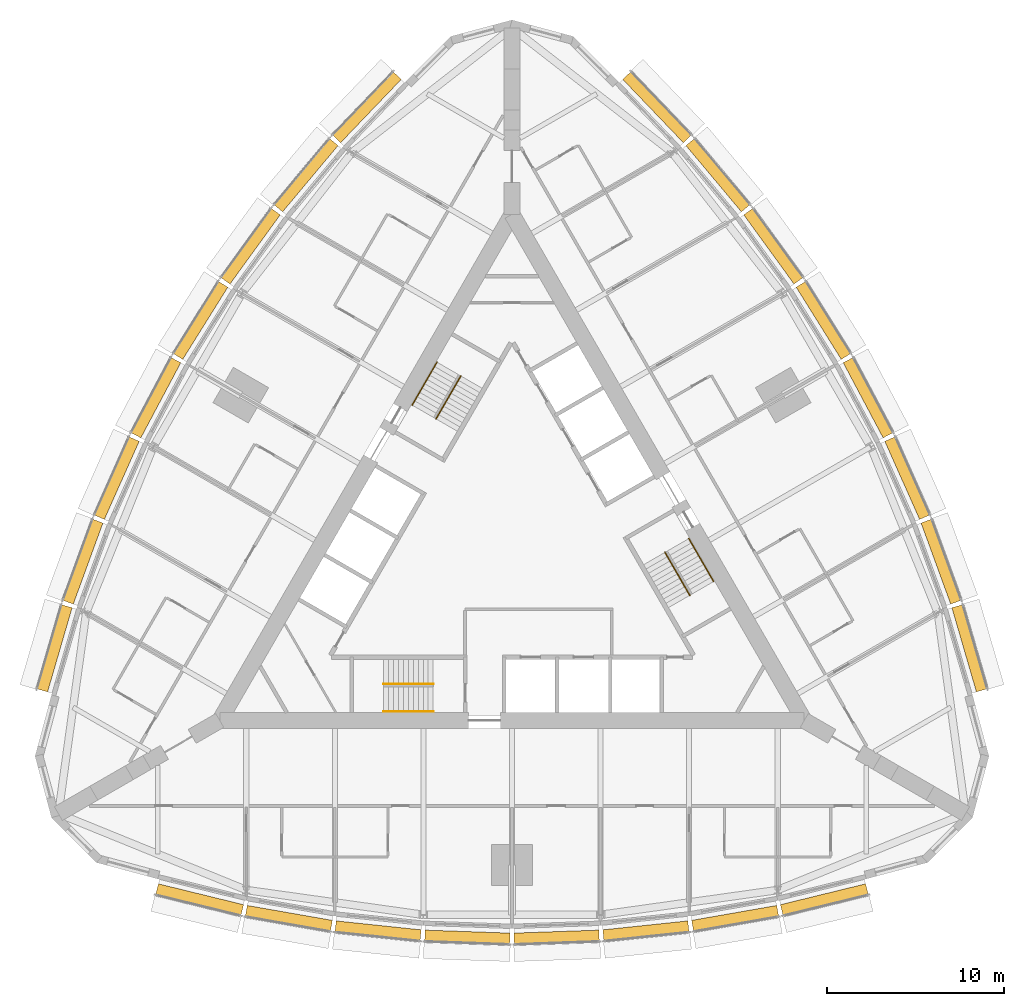
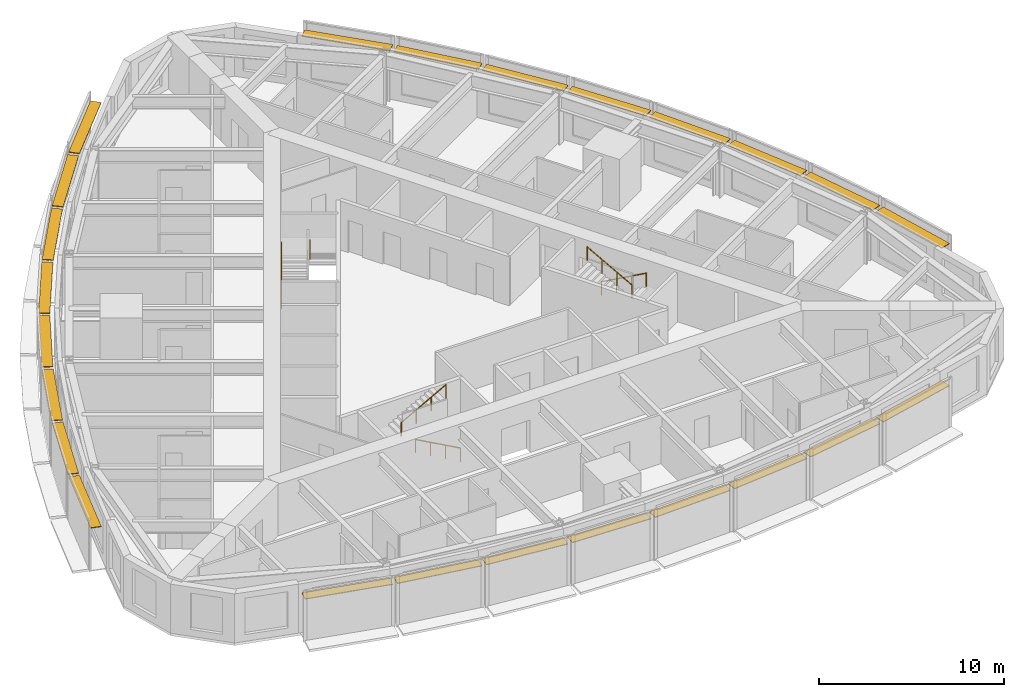
# One storey, part 14 of 14: 24 shading devices, 6 railings.
"""IFC4 building model written with IfcOpenShell, lengths in metres."""

from ifc_helpers import new_model, si_unit, direction, frame, origin, origin_2d, place, context, subcontext, project, spatial, rectangle, circle, extrude, material, type_object, element, save


model = new_model("IFC4")

# Units and contexts
model_context = context("Model", 3, precision=1e-05, world=origin(), true_north=direction((0.0, 1.0)))
body_context = subcontext(model_context, "Body", "Model", "MODEL_VIEW")
ifc_project = project(units=[si_unit("LENGTHUNIT", "METRE"), si_unit("AREAUNIT", "SQUARE_METRE"), si_unit("VOLUMEUNIT", "CUBIC_METRE"), si_unit("PLANEANGLEUNIT", "RADIAN"), si_unit("MASSUNIT", "GRAM", prefix="KILO")], contexts=[model_context])

# Site, building, storey
site_placement = place(None, origin())
site = spatial("IfcSite", under=ifc_project, at=site_placement, CompositionType="ELEMENT")
building_placement = place(site_placement, origin())
building = spatial("IfcBuilding", under=site, at=building_placement, Name="Trikona Tower", CompositionType="ELEMENT")
storey_placement = place(building_placement, frame((0.0, 0.0, 182.699951171875)))
storey = spatial("IfcBuildingStorey", under=building, at=storey_placement, Name="L49", CompositionType="ELEMENT", Elevation=182.699951171875)

# Shading devices
ifc_material_1 = material(Name="Aluminium louvre blade, pale anodised", Category="aluminium")
shading_device_type = type_object("IfcShadingDeviceType", Name="Cavity louvre 600", PredefinedType="USERDEFINED", material=ifc_material_1)
shading_device_1_placement = place(storey_placement, frame((-17.63330078125, -19.631591796875, 2.77490234375), z_axis=(0.0, 0.0, 1.0), x_axis=(0.971274411564, -0.237962218516, 0.0)))
element("IfcShadingDevice", 1, at=shading_device_1_placement, inside=storey, type_object=shading_device_type, Name="Cavity louvre L49-00", ObjectType="LOUVRE", PredefinedType="USERDEFINED", context=body_context, shape_type="SweptSolid", body=[
    extrude(rectangle(XDim=4.947998046875, YDim=0.60009765625, at=origin_2d()), origin(), (0.0, 0.0, 1.0), 0.050048828125),
])
shading_device_2_placement = place(storey_placement, frame((-12.596435546875, -20.689208984375, 2.77490234375), z_axis=(0.0, 0.0, 1.0), x_axis=(0.985030604067, -0.172379549401, 0.0)))
element("IfcShadingDevice", 2, at=shading_device_2_placement, inside=storey, type_object=shading_device_type, Name="Cavity louvre L49-01", ObjectType="LOUVRE", PredefinedType="USERDEFINED", context=body_context, shape_type="SweptSolid", body=[
    extrude(rectangle(XDim=4.8759765625, YDim=0.60009765625, at=origin_2d()), origin(), (0.0, 0.0, 1.0), 0.050048828125),
])
shading_device_3_placement = place(storey_placement, frame((-7.55859375, -21.39453125, 2.77490234375), z_axis=(0.0, 0.0, 1.0), x_axis=(0.994532653854, -0.104426052392, 0.0)))
element("IfcShadingDevice", 3, at=shading_device_3_placement, inside=storey, type_object=shading_device_type, Name="Cavity louvre L49-02", ObjectType="LOUVRE", PredefinedType="USERDEFINED", context=body_context, shape_type="SweptSolid", body=[
    extrude(rectangle(XDim=4.827392578125, YDim=0.60009765625, at=origin_2d()), origin(), (0.0, 0.0, 1.0), 0.050048828125),
])
for number, where, z_axis, x_axis, name in (
    (4, (-2.51953125, -21.747314453125, 2.77490234375), (0.0, 0.0, 1.0), (0.999388082937, -0.034977988567, 0.0), "Cavity louvre L49-03"),
    (5, (2.51953125, -21.747314453125, 2.77490234375), (0.0, 0.0, 1.0), (0.999388082937, 0.034977988567, 0.0), "Cavity louvre L49-04"),
):
    element("IfcShadingDevice", number, at=place(storey_placement, frame(where, z_axis=z_axis, x_axis=x_axis)), inside=storey, type_object=shading_device_type, Name=name, ObjectType="LOUVRE", PredefinedType="USERDEFINED", context=body_context, shape_type="SweptSolid", body=[
        extrude(rectangle(XDim=4.802978515625, YDim=0.60009765625, at=origin_2d()), origin(), (0.0, 0.0, 1.0), 0.050048828125),
    ])
shading_device_4_placement = place(storey_placement, frame((7.55859375, -21.39453125, 2.77490234375), z_axis=(0.0, 0.0, 1.0), x_axis=(0.994532653854, 0.104426052392, 0.0)))
element("IfcShadingDevice", 6, at=shading_device_4_placement, inside=storey, type_object=shading_device_type, Name="Cavity louvre L49-05", ObjectType="LOUVRE", PredefinedType="USERDEFINED", context=body_context, shape_type="SweptSolid", body=[
    extrude(rectangle(XDim=4.827392578125, YDim=0.60009765625, at=origin_2d()), origin(), (0.0, 0.0, 1.0), 0.050048828125),
])
shading_device_5_placement = place(storey_placement, frame((12.596435546875, -20.689208984375, 2.77490234375), z_axis=(0.0, 0.0, 1.0), x_axis=(0.985030604067, 0.172379549401, 0.0)))
element("IfcShadingDevice", 7, at=shading_device_5_placement, inside=storey, type_object=shading_device_type, Name="Cavity louvre L49-06", ObjectType="LOUVRE", PredefinedType="USERDEFINED", context=body_context, shape_type="SweptSolid", body=[
    extrude(rectangle(XDim=4.8759765625, YDim=0.60009765625, at=origin_2d()), origin(), (0.0, 0.0, 1.0), 0.050048828125),
])
shading_device_6_placement = place(storey_placement, frame((17.63330078125, -19.631591796875, 2.77490234375), z_axis=(0.0, 0.0, 1.0), x_axis=(0.971274411564, 0.237962218516, 0.0)))
element("IfcShadingDevice", 8, at=shading_device_6_placement, inside=storey, type_object=shading_device_type, Name="Cavity louvre L49-07", ObjectType="LOUVRE", PredefinedType="USERDEFINED", context=body_context, shape_type="SweptSolid", body=[
    extrude(rectangle(XDim=4.947998046875, YDim=0.60009765625, at=origin_2d()), origin(), (0.0, 0.0, 1.0), 0.050048828125),
])
shading_device_7_placement = place(storey_placement, frame((25.818115234375, -5.455078125, 2.77490234375), z_axis=(0.0, 0.0, 1.0), x_axis=(-0.279554203664, 0.960129911634, 0.0)))
element("IfcShadingDevice", 9, at=shading_device_7_placement, inside=storey, type_object=shading_device_type, Name="Cavity louvre L49-12", ObjectType="LOUVRE", PredefinedType="USERDEFINED", context=body_context, shape_type="SweptSolid", body=[
    extrude(rectangle(XDim=4.94775390625, YDim=0.60009765625, at=origin_2d()), origin(), (0.0, 0.0, 1.0), 0.050048828125),
])
shading_device_8_placement = place(storey_placement, frame((24.2158203125, -0.564208984375, 2.77490234375), z_axis=(0.0, 0.0, 1.0), x_axis=(-0.343220397324, 0.939254895575, 0.0)))
element("IfcShadingDevice", 10, at=shading_device_8_placement, inside=storey, type_object=shading_device_type, Name="Cavity louvre L49-13", ObjectType="LOUVRE", PredefinedType="USERDEFINED", context=body_context, shape_type="SweptSolid", body=[
    extrude(rectangle(XDim=4.8759765625, YDim=0.60009765625, at=origin_2d()), origin(), (0.0, 0.0, 1.0), 0.050048828125),
])
shading_device_9_placement = place(storey_placement, frame((22.3076171875, 4.151611328125, 2.77490234375), z_axis=(0.0, 0.0, 1.0), x_axis=(-0.406843467615, 0.913497888809, 0.0)))
element("IfcShadingDevice", 11, at=shading_device_9_placement, inside=storey, type_object=shading_device_type, Name="Cavity louvre L49-14", ObjectType="LOUVRE", PredefinedType="USERDEFINED", context=body_context, shape_type="SweptSolid", body=[
    extrude(rectangle(XDim=4.827392578125, YDim=0.60009765625, at=origin_2d()), origin(), (0.0, 0.0, 1.0), 0.050048828125),
])
for number, where, z_axis, x_axis, name in (
    (12, (20.093505859375, 8.691650390625, 2.77490234375), (0.0, 0.0, 1.0), (-0.469397591494, 0.882986920118, 0.0), "Cavity louvre L49-15"),
    (13, (17.573974609375, 13.0556640625, 2.77490234375), (0.0, 0.0, 1.0), (-0.529994748414, 0.848000923734, 0.0), "Cavity louvre L49-16"),
):
    element("IfcShadingDevice", number, at=place(storey_placement, frame(where, z_axis=z_axis, x_axis=x_axis)), inside=storey, type_object=shading_device_type, Name=name, ObjectType="LOUVRE", PredefinedType="USERDEFINED", context=body_context, shape_type="SweptSolid", body=[
        extrude(rectangle(XDim=4.802978515625, YDim=0.60009765625, at=origin_2d()), origin(), (0.0, 0.0, 1.0), 0.050048828125),
    ])
shading_device_10_placement = place(storey_placement, frame((14.7490234375, 17.2431640625, 2.77490234375), z_axis=(0.0, 0.0, 1.0), x_axis=(-0.587686407834, 0.809088799853, 0.0)))
element("IfcShadingDevice", 14, at=shading_device_10_placement, inside=storey, type_object=shading_device_type, Name="Cavity louvre L49-17", ObjectType="LOUVRE", PredefinedType="USERDEFINED", context=body_context, shape_type="SweptSolid", body=[
    extrude(rectangle(XDim=4.827392578125, YDim=0.60009765625, at=origin_2d()), origin(), (0.0, 0.0, 1.0), 0.050048828125),
])
shading_device_11_placement = place(storey_placement, frame((11.619140625, 21.253662109375, 2.77490234375), z_axis=(0.0, 0.0, 1.0), x_axis=(-0.641807063101, 0.766866151133, 0.0)))
element("IfcShadingDevice", 15, at=shading_device_11_placement, inside=storey, type_object=shading_device_type, Name="Cavity louvre L49-18", ObjectType="LOUVRE", PredefinedType="USERDEFINED", context=body_context, shape_type="SweptSolid", body=[
    extrude(rectangle(XDim=4.8759765625, YDim=0.60009765625, at=origin_2d()), origin(), (0.0, 0.0, 1.0), 0.050048828125),
])
for number, where, z_axis, x_axis, name in (
    (16, (8.184814453125, 25.086669921875, 2.77490234375), (0.0, 0.0, 1.0), (-0.691723573819, 0.722162376078, 0.0), "Cavity louvre L49-19"),
    (17, (-8.184814453125, 25.086669921875, 2.77490234375), (0.0, 0.0, 1.0), (-0.691723573819, -0.722162376078, 0.0), "Cavity louvre L49-24"),
):
    element("IfcShadingDevice", number, at=place(storey_placement, frame(where, z_axis=z_axis, x_axis=x_axis)), inside=storey, type_object=shading_device_type, Name=name, ObjectType="LOUVRE", PredefinedType="USERDEFINED", context=body_context, shape_type="SweptSolid", body=[
        extrude(rectangle(XDim=4.947998046875, YDim=0.60009765625, at=origin_2d()), origin(), (0.0, 0.0, 1.0), 0.050048828125),
    ])
shading_device_12_placement = place(storey_placement, frame((-11.619140625, 21.253662109375, 2.77490234375), z_axis=(0.0, 0.0, 1.0), x_axis=(-0.641807063101, -0.766866151133, 0.0)))
element("IfcShadingDevice", 18, at=shading_device_12_placement, inside=storey, type_object=shading_device_type, Name="Cavity louvre L49-25", ObjectType="LOUVRE", PredefinedType="USERDEFINED", context=body_context, shape_type="SweptSolid", body=[
    extrude(rectangle(XDim=4.8759765625, YDim=0.60009765625, at=origin_2d()), origin(), (0.0, 0.0, 1.0), 0.050048828125),
])
shading_device_13_placement = place(storey_placement, frame((-14.7490234375, 17.2431640625, 2.77490234375), z_axis=(0.0, 0.0, 1.0), x_axis=(-0.587686407834, -0.809088799853, 0.0)))
element("IfcShadingDevice", 19, at=shading_device_13_placement, inside=storey, type_object=shading_device_type, Name="Cavity louvre L49-26", ObjectType="LOUVRE", PredefinedType="USERDEFINED", context=body_context, shape_type="SweptSolid", body=[
    extrude(rectangle(XDim=4.827392578125, YDim=0.60009765625, at=origin_2d()), origin(), (0.0, 0.0, 1.0), 0.050048828125),
])
for number, where, z_axis, x_axis, name in (
    (20, (-17.573974609375, 13.0556640625, 2.77490234375), (0.0, 0.0, 1.0), (-0.529994748414, -0.848000923734, 0.0), "Cavity louvre L49-27"),
    (21, (-20.093505859375, 8.691650390625, 2.77490234375), (0.0, 0.0, 1.0), (-0.469397591494, -0.882986920118, 0.0), "Cavity louvre L49-28"),
):
    element("IfcShadingDevice", number, at=place(storey_placement, frame(where, z_axis=z_axis, x_axis=x_axis)), inside=storey, type_object=shading_device_type, Name=name, ObjectType="LOUVRE", PredefinedType="USERDEFINED", context=body_context, shape_type="SweptSolid", body=[
        extrude(rectangle(XDim=4.802978515625, YDim=0.60009765625, at=origin_2d()), origin(), (0.0, 0.0, 1.0), 0.050048828125),
    ])
shading_device_14_placement = place(storey_placement, frame((-22.3076171875, 4.151611328125, 2.77490234375), z_axis=(0.0, 0.0, 1.0), x_axis=(-0.406843467615, -0.913497888809, 0.0)))
element("IfcShadingDevice", 22, at=shading_device_14_placement, inside=storey, type_object=shading_device_type, Name="Cavity louvre L49-29", ObjectType="LOUVRE", PredefinedType="USERDEFINED", context=body_context, shape_type="SweptSolid", body=[
    extrude(rectangle(XDim=4.827392578125, YDim=0.60009765625, at=origin_2d()), origin(), (0.0, 0.0, 1.0), 0.050048828125),
])
shading_device_15_placement = place(storey_placement, frame((-24.2158203125, -0.564208984375, 2.77490234375), z_axis=(0.0, 0.0, 1.0), x_axis=(-0.343220397324, -0.939254895575, 0.0)))
element("IfcShadingDevice", 23, at=shading_device_15_placement, inside=storey, type_object=shading_device_type, Name="Cavity louvre L49-30", ObjectType="LOUVRE", PredefinedType="USERDEFINED", context=body_context, shape_type="SweptSolid", body=[
    extrude(rectangle(XDim=4.8759765625, YDim=0.60009765625, at=origin_2d()), origin(), (0.0, 0.0, 1.0), 0.050048828125),
])
shading_device_16_placement = place(storey_placement, frame((-25.818115234375, -5.455078125, 2.77490234375), z_axis=(0.0, 0.0, 1.0), x_axis=(-0.279554203664, -0.960129911634, 0.0)))
element("IfcShadingDevice", 24, at=shading_device_16_placement, inside=storey, type_object=shading_device_type, Name="Cavity louvre L49-31", ObjectType="LOUVRE", PredefinedType="USERDEFINED", context=body_context, shape_type="SweptSolid", body=[
    extrude(rectangle(XDim=4.94775390625, YDim=0.60009765625, at=origin_2d()), origin(), (0.0, 0.0, 1.0), 0.050048828125),
])

# Railings
ifc_material_2 = material(Name="Stainless steel handrail", Category="steel")
railing_type = type_object("IfcRailingType", Name="Stair handrail", PredefinedType="HANDRAIL", material=ifc_material_2)
railing_1_placement = place(storey_placement, frame((-4.449951171875, -9.016357421875, 0.154541015625)))
element("IfcRailing", 25, at=railing_1_placement, inside=storey, type_object=railing_type, Name="Stair handrail A L49 1", PredefinedType="HANDRAIL", context=body_context, shape_type="SweptSolid", body=[
    extrude(circle(Radius=0.02392578125, at=origin_2d()), frame((0.0, 0.0, 0.8759765625), z_axis=(-0.875504190374, 0.0, 0.483210526207), x_axis=(0.0, -1.0, 0.0)), (0.0, 0.0, 1.0), 3.1982421875),
    extrude(circle(Radius=0.02099609375, at=origin_2d()), origin(), (0.0, 0.0, 1.0), 0.851806640625),
    extrude(circle(Radius=0.02099609375, at=origin_2d()), frame((-0.933349609375, 0.0, 0.51513671875)), (0.0, 0.0, 1.0), 0.851806640625),
    extrude(circle(Radius=0.02099609375, at=origin_2d()), frame((-1.86669921875, 0.0, 1.0302734375)), (0.0, 0.0, 1.0), 0.851806640625),
    extrude(circle(Radius=0.02099609375, at=origin_2d()), frame((-2.800048828125, 0.0, 1.54541015625)), (0.0, 0.0, 1.0), 0.851806640625),
])
railing_2_placement = place(storey_placement, frame((-7.25, -7.46630859375, 1.8544921875)))
element("IfcRailing", 26, at=railing_2_placement, inside=storey, type_object=railing_type, Name="Stair handrail A L49 2", PredefinedType="HANDRAIL", context=body_context, shape_type="SweptSolid", body=[
    extrude(circle(Radius=0.02392578125, at=origin_2d()), frame((0.0, 0.0, 0.8759765625), z_axis=(0.875471895205, 0.0, 0.483269035534), x_axis=(0.0, 1.0, 0.0)), (0.0, 0.0, 1.0), 3.1982421875),
    extrude(circle(Radius=0.02099609375, at=origin_2d()), origin(), (0.0, 0.0, 1.0), 0.851806640625),
    extrude(circle(Radius=0.02099609375, at=origin_2d()), frame((0.933349609375, 0.0, 0.51513671875)), (0.0, 0.0, 1.0), 0.851806640625),
    extrude(circle(Radius=0.02099609375, at=origin_2d()), frame((1.86669921875, 0.0, 1.030517578125)), (0.0, 0.0, 1.0), 0.851806640625),
    extrude(circle(Radius=0.02099609375, at=origin_2d()), frame((2.800048828125, 0.0, 1.545654296875)), (0.0, 0.0, 1.0), 0.851806640625),
])
railing_3_placement = place(storey_placement, frame((9.9833984375, 0.740966796875, 0.154541015625)))
element("IfcRailing", 27, at=railing_3_placement, inside=storey, type_object=railing_type, Name="Stair handrail B L49 1", PredefinedType="HANDRAIL", context=body_context, shape_type="SweptSolid", body=[
    extrude(circle(Radius=0.02392578125, at=origin_2d()), frame((0.0, 0.0, 0.8759765625), z_axis=(0.437707188162, -0.758239536103, 0.483203087036), x_axis=(0.866056369097, 0.49994636267, 0.0)), (0.0, 0.0, 1.0), 3.1982421875),
    extrude(circle(Radius=0.02099609375, at=origin_2d()), origin(), (0.0, 0.0, 1.0), 0.851806640625),
    extrude(circle(Radius=0.02099609375, at=origin_2d()), frame((0.466552734375, -0.808349609375, 0.51513671875)), (0.0, 0.0, 1.0), 0.851806640625),
    extrude(circle(Radius=0.02099609375, at=origin_2d()), frame((0.933349609375, -1.61669921875, 1.0302734375)), (0.0, 0.0, 1.0), 0.851806640625),
    extrude(circle(Radius=0.02099609375, at=origin_2d()), frame((1.39990234375, -2.425048828125, 1.54541015625)), (0.0, 0.0, 1.0), 0.851806640625),
])
railing_4_placement = place(storey_placement, frame((10.041015625, -2.458984375, 1.8544921875)))
element("IfcRailing", 28, at=railing_4_placement, inside=storey, type_object=railing_type, Name="Stair handrail B L49 2", PredefinedType="HANDRAIL", context=body_context, shape_type="SweptSolid", body=[
    extrude(circle(Radius=0.02392578125, at=origin_2d()), frame((0.0, 0.0, 0.8759765625), z_axis=(-0.437691042731, 0.758211567396, 0.483261596012), x_axis=(-0.866056369097, -0.49994636267, 0.0)), (0.0, 0.0, 1.0), 3.198486328125),
    extrude(circle(Radius=0.02099609375, at=origin_2d()), origin(), (0.0, 0.0, 1.0), 0.851806640625),
    extrude(circle(Radius=0.02099609375, at=origin_2d()), frame((-0.466552734375, 0.808349609375, 0.51513671875)), (0.0, 0.0, 1.0), 0.851806640625),
    extrude(circle(Radius=0.02099609375, at=origin_2d()), frame((-0.933349609375, 1.61669921875, 1.030517578125)), (0.0, 0.0, 1.0), 0.851806640625),
    extrude(circle(Radius=0.02099609375, at=origin_2d()), frame((-1.39990234375, 2.425048828125, 1.545654296875)), (0.0, 0.0, 1.0), 0.851806640625),
])
railing_5_placement = place(storey_placement, frame((-5.63330078125, 8.275390625, 0.154541015625)))
element("IfcRailing", 29, at=railing_5_placement, inside=storey, type_object=railing_type, Name="Stair handrail C L49 1", PredefinedType="HANDRAIL", context=body_context, shape_type="SweptSolid", body=[
    extrude(circle(Radius=0.02392578125, at=origin_2d()), frame((0.0, 0.0, 0.8759765625), z_axis=(0.437732523806, 0.758207085183, 0.483231056102), x_axis=(-0.866034573852, 0.49998411664, 0.0)), (0.0, 0.0, 1.0), 3.197998046875),
    extrude(circle(Radius=0.02099609375, at=origin_2d()), origin(), (0.0, 0.0, 1.0), 0.851806640625),
    extrude(circle(Radius=0.02099609375, at=origin_2d()), frame((0.466552734375, 0.808349609375, 0.51513671875)), (0.0, 0.0, 1.0), 0.851806640625),
    extrude(circle(Radius=0.02099609375, at=origin_2d()), frame((0.933349609375, 1.616455078125, 1.0302734375)), (0.0, 0.0, 1.0), 0.851806640625),
    extrude(circle(Radius=0.02099609375, at=origin_2d()), frame((1.39990234375, 2.4248046875, 1.54541015625)), (0.0, 0.0, 1.0), 0.851806640625),
])
railing_6_placement = place(storey_placement, frame((-2.89111328125, 9.92529296875, 1.8544921875)))
element("IfcRailing", 30, at=railing_6_placement, inside=storey, type_object=railing_type, Name="Stair handrail C L49 2", PredefinedType="HANDRAIL", context=body_context, shape_type="SweptSolid", body=[
    extrude(circle(Radius=0.02392578125, at=origin_2d()), frame((0.0, 0.0, 0.8759765625), z_axis=(-0.437691042731, -0.758211567396, 0.483261596012), x_axis=(0.866056369097, -0.49994636267, 0.0)), (0.0, 0.0, 1.0), 3.198486328125),
    extrude(circle(Radius=0.02099609375, at=origin_2d()), origin(), (0.0, 0.0, 1.0), 0.851806640625),
    extrude(circle(Radius=0.02099609375, at=origin_2d()), frame((-0.466552734375, -0.808349609375, 0.51513671875)), (0.0, 0.0, 1.0), 0.851806640625),
    extrude(circle(Radius=0.02099609375, at=origin_2d()), frame((-0.933349609375, -1.61669921875, 1.030517578125)), (0.0, 0.0, 1.0), 0.851806640625),
    extrude(circle(Radius=0.02099609375, at=origin_2d()), frame((-1.39990234375, -2.425048828125, 1.545654296875)), (0.0, 0.0, 1.0), 0.851806640625),
])

save(model, "model.ifc")
